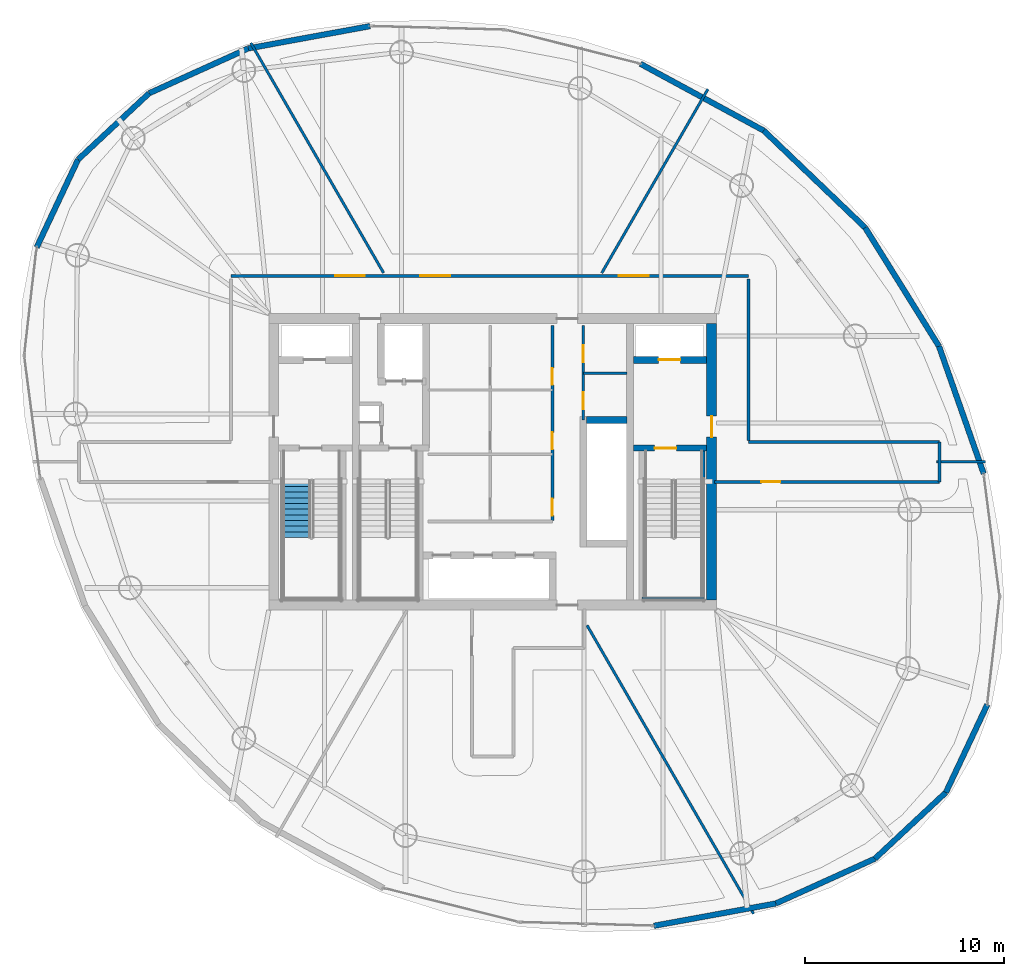
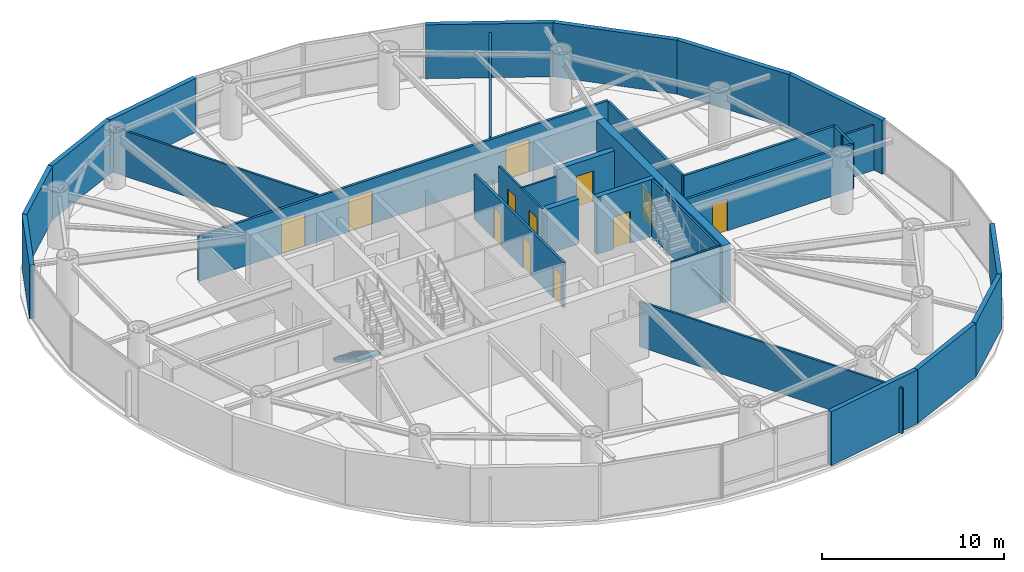
# One storey, part 15 of 20: 30 walls, 12 doors, 1 stair flight, 12 openings, 1 element without a shape of its own.
"""IFC4 building model written with IfcOpenShell, lengths in metres."""

from ifc_helpers import new_model, si_unit, direction, frame, frame_2d, origin, place, context, subcontext, project, spatial, polyline, rectangle, outline, extrude, material, layer, layer_set, type_object, element, fill, aggregate, save


model = new_model("IFC4")

# Units and contexts
model_context = context("Model", 3, precision=1e-05, world=origin(), true_north=direction((0.0, 1.0)))
body_context = subcontext(model_context, "Body", "Model", "MODEL_VIEW")
ifc_project = project(units=[si_unit("LENGTHUNIT", "METRE"), si_unit("AREAUNIT", "SQUARE_METRE"), si_unit("VOLUMEUNIT", "CUBIC_METRE"), si_unit("PLANEANGLEUNIT", "RADIAN"), si_unit("MASSUNIT", "GRAM", prefix="KILO")], contexts=[model_context])

# Site, building, storey
site_placement = place(None, origin())
site = spatial("IfcSite", under=ifc_project, at=site_placement, CompositionType="ELEMENT")
building_placement = place(site_placement, origin())
building = spatial("IfcBuilding", under=site, at=building_placement, Name="Bramvorn Convention Spire", CompositionType="ELEMENT")
storey_placement = place(building_placement, frame((0.0, 0.0, 175.050048828125)))
storey = spatial("IfcBuildingStorey", under=building, at=storey_placement, Name="L44", CompositionType="ELEMENT", Elevation=175.050048828125)

# Wall, opening, door
ifc_material_1 = material(Name="Concrete C50/60", Category="concrete")
ifc_layer_1 = layer(ifc_material_1, 0.5)
ifc_layer_set_1 = layer_set([ifc_layer_1], Name="Concrete C50/60 - WL-CORE-500")
wall_type_1 = type_object("IfcWallType", Name="WL-CORE-500", PredefinedType="SHEAR", material=ifc_layer_set_1)
wall_1_placement = place(storey_placement, frame((49.0, 19.050048828125, 0.0), z_axis=(0.0, 0.0, 1.0), x_axis=(0.0, 1.0, 0.0)))
wall_1 = element("IfcWall", 1, at=wall_1_placement, inside=storey, type_object=wall_type_1, Name="L44 East RC core shear wall", PredefinedType="SHEAR", context=body_context, shape_type="SweptSolid", body=[
    extrude(rectangle(XDim=13.89990234375, YDim=0.5, at=frame_2d((6.949951171875, 0.0))), origin(), (0.0, 0.0, 1.0), 3.849853515625),
])
opening_1_placement = place(wall_1_placement, frame((8.199951171875, 0.0, 0.0)))
opening_1 = element("IfcOpeningElement", 2, at=opening_1_placement, cuts=wall_1, Name="Opening DL-105", PredefinedType="OPENING", context=body_context, shape_type="SweptSolid", body=[
    extrude(rectangle(XDim=1.050048828125, YDim=2.14990234375, at=frame_2d((0.52490234375, 1.074951171875))), frame((0.0, 0.260009765625, 0.0), z_axis=(0.0, -1.0, 0.0), x_axis=(1.0, 0.0, 0.0)), (0.0, 0.0, 1.0), 0.52001953125),
])
ifc_material_2 = material(Name="Smoke-Sealed Fire Lobby Timber-Core Door", Category="wood")
door_type_1 = type_object("IfcDoorType", Name="DR-LOBBY-1050", OperationType="NOTDEFINED", PredefinedType="DOOR", material=ifc_material_2)
door_1_placement = place(opening_1_placement, origin())
door_1 = element("IfcDoor", 3, at=door_1_placement, inside=storey, type_object=door_type_1, Name="L44 East Firefighting Lobby corridor door", OperationType="SINGLE_SWING_LEFT", OverallHeight=2.14990234375, OverallWidth=1.050048828125, PredefinedType="DOOR", context=body_context, shape_type="SweptSolid", body=[
    extrude(rectangle(XDim=1.050048828125, YDim=2.14990234375, at=frame_2d((0.52490234375, 1.074951171875))), frame((0.0, 0.02490234375, 0.0), z_axis=(0.0, -1.0, 0.0), x_axis=(1.0, 0.0, 0.0)), (0.0, 0.0, 1.0), 0.050048828125),
])
fill(opening_1, door_1)

ifc_layer_2 = layer(ifc_material_1, 0.35009765625)
ifc_layer_set_2 = layer_set([ifc_layer_2], Name="Concrete C50/60 - WL-CORE-INT-350")
wall_type_2 = type_object("IfcWallType", Name="WL-CORE-INT-350", PredefinedType="SHEAR", material=ifc_layer_set_2)
wall_2_placement = place(storey_placement, frame((45.080078125, 31.1201171875, 0.0), z_axis=(0.0, 0.0, 1.0), x_axis=(1.0, 0.0, 0.0)))
wall_2 = element("IfcWall", 4, at=wall_2_placement, inside=storey, type_object=wall_type_2, Name="L44 FE2 shaft front wall", PredefinedType="SHEAR", context=body_context, shape_type="SweptSolid", body=[
    extrude(rectangle(XDim=3.669921875, YDim=0.35009765625, at=frame_2d((1.8349609375, 0.0))), origin(), (0.0, 0.0, 1.0), 3.034912109375),
])
opening_2_placement = place(wall_2_placement, frame((1.25, 0.0, 0.0)))
opening_2 = element("IfcOpeningElement", 5, at=opening_2_placement, cuts=wall_2, Name="Opening LD-110", PredefinedType="OPENING", context=body_context, shape_type="SweptSolid", body=[
    extrude(rectangle(XDim=1.10009765625, YDim=2.14990234375, at=frame_2d((0.550048828125, 1.074951171875))), frame((0.0, 0.18505859375, 0.0), z_axis=(0.0, -1.0, 0.0), x_axis=(1.0, 0.0, 0.0)), (0.0, 0.0, 1.0), 0.3701171875),
])
ifc_material_3 = material(Name="Firefighting & Service Lift Sliding Landing Door", Category="steel")
door_type_2 = type_object("IfcDoorType", Name="DR-LIFT-LD-1100", OperationType="NOTDEFINED", PredefinedType="DOOR", material=ifc_material_3)
door_2_placement = place(opening_2_placement, origin())
door_2 = element("IfcDoor", 6, at=door_2_placement, inside=storey, type_object=door_type_2, Name="L44 Lift FE2 Sliding Landing Door", OperationType="SLIDING_TO_LEFT", OverallHeight=2.14990234375, OverallWidth=1.10009765625, PredefinedType="DOOR", context=body_context, shape_type="SweptSolid", body=[
    extrude(rectangle(XDim=1.10009765625, YDim=2.14990234375, at=frame_2d((0.550048828125, 1.074951171875))), frame((0.0, 0.02490234375, 0.0), z_axis=(0.0, -1.0, 0.0), x_axis=(1.0, 0.0, 0.0)), (0.0, 0.0, 1.0), 0.050048828125),
])
fill(opening_2, door_2)

# Walls
wall_3_placement = place(storey_placement, frame((42.719970703125, 28.10009765625, 0.0), z_axis=(0.0, 0.0, 1.0), x_axis=(1.0, 0.0, 0.0)))
element("IfcWall", 7, at=wall_3_placement, inside=storey, type_object=wall_type_2, Name="L44 High-rise lift bank north wall", PredefinedType="SHEAR", context=body_context, shape_type="SweptSolid", body=[
    extrude(rectangle(XDim=2.030029296875, YDim=0.35009765625, at=frame_2d((1.01513671875, 0.0))), origin(), (0.0, 0.0, 1.0), 3.034912109375),
])
ifc_material_4 = material(Name="Precast Concrete C40/50 with Bronze Terracotta Rainscreen", Category="masonry")
ifc_layer_3 = layer(ifc_material_4, 0.300048828125)
ifc_layer_set_3 = layer_set([ifc_layer_3], Name="Precast Concrete C40/50 with Bronze Terracotta Rainscreen - WL-EXT-BRONZE-300")
wall_type_3 = type_object("IfcWallType", Name="WL-EXT-BRONZE-300", PredefinedType="SOLIDWALL", material=ifc_layer_set_3)
wall_4_placement = place(storey_placement, frame((62.847900390625, 13.807373046875, 0.0), z_axis=(0.0, 0.0, 1.0), x_axis=(-0.426284044229, -0.904589361885, 0.0)))
element("IfcWall", 8, at=wall_4_placement, inside=storey, type_object=wall_type_3, Name="L44 expressed bronze Gothic lancet pier wall 01", PredefinedType="SOLIDWALL", context=body_context, shape_type="SweptSolid", body=[
    extrude(rectangle(XDim=4.876220703125, YDim=0.280029296875, at=frame_2d((2.43798828125, 0.0))), origin(), (0.0, 0.0, 1.0), 3.619873046875),
])
wall_5_placement = place(storey_placement, frame((60.419189453125, 31.81201171875, 0.0), z_axis=(0.0, 0.0, 1.0), x_axis=(0.331279949487, -0.94353250875, 0.0)))
element("IfcWall", 9, at=wall_5_placement, inside=storey, type_object=wall_type_3, Name="L44 expressed bronze Gothic lancet pier wall 04", PredefinedType="SOLIDWALL", context=body_context, shape_type="SweptSolid", body=[
    extrude(rectangle(XDim=6.784423828125, YDim=0.280029296875, at=frame_2d((3.39208984375, 0.0))), origin(), (0.0, 0.0, 1.0), 3.619873046875),
])
wall_6_placement = place(storey_placement, frame((56.709716796875, 37.76904296875, 0.0), z_axis=(0.0, 0.0, 1.0), x_axis=(0.528597240485, -0.848872756867, 0.0)))
element("IfcWall", 10, at=wall_6_placement, inside=storey, type_object=wall_type_3, Name="L44 expressed bronze Gothic lancet pier wall 05", PredefinedType="SOLIDWALL", context=body_context, shape_type="SweptSolid", body=[
    extrude(rectangle(XDim=7.017578125, YDim=0.280029296875, at=frame_2d((3.5087890625, 0.0))), origin(), (0.0, 0.0, 1.0), 3.619873046875),
])
for number, where, z_axis, x_axis, name in (
    (11, (51.619873046875, 42.640869140625, 0.0), (0.0, 0.0, 1.0), (0.722409280023, -0.691465712915, 0.0), "L44 expressed bronze Gothic lancet pier wall 06"),
    (12, (45.42529296875, 45.997802734375, 0.0), (0.0, 0.0, 1.0), (0.879200648398, -0.476451697295, 0.0), "L44 expressed bronze Gothic lancet pier wall 07"),
):
    element("IfcWall", number, at=place(storey_placement, frame(where, z_axis=z_axis, x_axis=x_axis)), inside=storey, type_object=wall_type_3, Name=name, PredefinedType="SOLIDWALL", context=body_context, shape_type="SweptSolid", body=[
        extrude(rectangle(XDim=7.045654296875, YDim=0.280029296875, at=frame_2d((3.52294921875, 0.0))), origin(), (0.0, 0.0, 1.0), 3.619873046875),
    ])
wall_7_placement = place(storey_placement, frame((25.712890625, 46.77001953125, 0.0), z_axis=(0.0, 0.0, 1.0), x_axis=(0.98364200826, 0.180134393125, 0.0)))
element("IfcWall", 13, at=wall_7_placement, inside=storey, type_object=wall_type_3, Name="L44 expressed bronze Gothic lancet pier wall 10", PredefinedType="SOLIDWALL", context=body_context, shape_type="SweptSolid", body=[
    extrude(rectangle(XDim=6.226318359375, YDim=0.280029296875, at=frame_2d((3.11328125, 0.0))), origin(), (0.0, 0.0, 1.0), 3.619873046875),
])
wall_8_placement = place(storey_placement, frame((20.734375, 44.51708984375, 0.0), z_axis=(0.0, 0.0, 1.0), x_axis=(0.911056784124, 0.41228089466, 0.0)))
element("IfcWall", 14, at=wall_8_placement, inside=storey, type_object=wall_type_3, Name="L44 expressed bronze Gothic lancet pier wall 11", PredefinedType="SOLIDWALL", context=body_context, shape_type="SweptSolid", body=[
    extrude(rectangle(XDim=5.464599609375, YDim=0.280029296875, at=frame_2d((2.732421875, 0.0))), origin(), (0.0, 0.0, 1.0), 3.619873046875),
])
for number, where, z_axis, x_axis, name in (
    (15, (17.169921875, 41.189453125, 0.0), (0.0, 0.0, 1.0), (0.730972016713, 0.68240743752, 0.0), "L44 expressed bronze Gothic lancet pier wall 12"),
    (16, (15.09130859375, 36.778564453125, 0.0), (0.0, 0.0, 1.0), (0.426284044229, 0.904589361885, 0.0), "L44 expressed bronze Gothic lancet pier wall 13"),
):
    element("IfcWall", number, at=place(storey_placement, frame(where, z_axis=z_axis, x_axis=x_axis)), inside=storey, type_object=wall_type_3, Name=name, PredefinedType="SOLIDWALL", context=body_context, shape_type="SweptSolid", body=[
        extrude(rectangle(XDim=4.876220703125, YDim=0.280029296875, at=frame_2d((2.43798828125, 0.0))), origin(), (0.0, 0.0, 1.0), 3.619873046875),
    ])
wall_9_placement = place(storey_placement, frame((52.226318359375, 3.81591796875, 0.0), z_axis=(0.0, 0.0, 1.0), x_axis=(-0.98364200826, -0.180134393125, 0.0)))
element("IfcWall", 17, at=wall_9_placement, inside=storey, type_object=wall_type_3, Name="L44 expressed bronze Gothic lancet pier wall 22", PredefinedType="SOLIDWALL", context=body_context, shape_type="SweptSolid", body=[
    extrude(rectangle(XDim=6.226318359375, YDim=0.280029296875, at=frame_2d((3.11328125, 0.0))), origin(), (0.0, 0.0, 1.0), 3.619873046875),
])
wall_10_placement = place(storey_placement, frame((57.204833984375, 6.06884765625, 0.0), z_axis=(0.0, 0.0, 1.0), x_axis=(-0.911056784124, -0.41228089466, 0.0)))
element("IfcWall", 18, at=wall_10_placement, inside=storey, type_object=wall_type_3, Name="L44 expressed bronze Gothic lancet pier wall 23", PredefinedType="SOLIDWALL", context=body_context, shape_type="SweptSolid", body=[
    extrude(rectangle(XDim=5.464599609375, YDim=0.280029296875, at=frame_2d((2.732421875, 0.0))), origin(), (0.0, 0.0, 1.0), 3.619873046875),
])
wall_11_placement = place(storey_placement, frame((60.769287109375, 9.396484375, 0.0), z_axis=(0.0, 0.0, 1.0), x_axis=(-0.730972016713, -0.68240743752, 0.0)))
element("IfcWall", 19, at=wall_11_placement, inside=storey, type_object=wall_type_3, Name="L44 expressed bronze Gothic lancet pier wall 24", PredefinedType="SOLIDWALL", context=body_context, shape_type="SweptSolid", body=[
    extrude(rectangle(XDim=4.876220703125, YDim=0.280029296875, at=frame_2d((2.43798828125, 0.0))), origin(), (0.0, 0.0, 1.0), 3.619873046875),
])
ifc_material_5 = material(Name="Lightweight En-Suite & Wet-Wall Partition", Category="gypsum")
ifc_layer_4 = layer(ifc_material_5, 0.110107421875)
ifc_layer_set_4 = layer_set([ifc_layer_4], Name="Lightweight En-Suite & Wet-Wall Partition - WL-PART-110")
wall_type_4 = type_object("IfcWallType", Name="WL-PART-110", PredefinedType="PARTITIONING", material=ifc_layer_set_4)
wall_12_placement = place(storey_placement, frame((42.550048828125, 30.449951171875, 0.0), z_axis=(0.0, 0.0, 1.0), x_axis=(1.0, 0.0, 0.0)))
element("IfcWall", 20, at=wall_12_placement, inside=storey, type_object=wall_type_4, Name="L44 KB NE divider", PredefinedType="PARTITIONING", context=body_context, shape_type="SweptSolid", body=[
    extrude(rectangle(XDim=2.199951171875, YDim=0.110107421875, at=frame_2d((1.10009765625, 0.0))), origin(), (0.0, 0.0, 1.0), 3.034912109375),
])

# Wall, openings, doors
ifc_material_6 = material(Name="Metal-Stud Demountable Office Partition", Category="gypsum")
ifc_layer_5 = layer(ifc_material_6, 0.1298828125)
ifc_layer_set_5 = layer_set([ifc_layer_5], Name="Metal-Stud Demountable Office Partition - WL-PART-130")
wall_type_5 = type_object("IfcWallType", Name="WL-PART-130", PredefinedType="PARTITIONING", material=ifc_layer_set_5)
wall_13_placement = place(storey_placement, frame((42.550048828125, 28.10009765625, 0.0), z_axis=(0.0, 0.0, 1.0), x_axis=(0.0, 1.0, 0.0)))
wall_13 = element("IfcWall", 21, at=wall_13_placement, inside=storey, type_object=wall_type_5, Name="L44 KB NE split wall", PredefinedType="PARTITIONING", context=body_context, shape_type="SweptSolid", body=[
    extrude(rectangle(XDim=4.75, YDim=0.1298828125, at=frame_2d((2.375, 0.0))), origin(), (0.0, 0.0, 1.0), 3.034912109375),
])
opening_3_placement = place(wall_13_placement, frame((0.550048828125, 0.0, 0.0)))
opening_3 = element("IfcOpeningElement", 22, at=opening_3_placement, cuts=wall_13, Name="Opening DC-085", PredefinedType="OPENING", context=body_context, shape_type="SweptSolid", body=[
    extrude(rectangle(XDim=0.85009765625, YDim=2.10009765625, at=frame_2d((0.425048828125, 1.050048828125))), frame((0.0, 0.074951171875, 0.0), z_axis=(0.0, -1.0, 0.0), x_axis=(1.0, 0.0, 0.0)), (0.0, 0.0, 1.0), 0.14990234375),
])
opening_4_placement = place(wall_13_placement, frame((2.89990234375, 0.0, 0.0)))
opening_4 = element("IfcOpeningElement", 23, at=opening_4_placement, cuts=wall_13, Name="Opening DC-085", PredefinedType="OPENING", context=body_context, shape_type="SweptSolid", body=[
    extrude(rectangle(XDim=0.85009765625, YDim=2.10009765625, at=frame_2d((0.425048828125, 1.050048828125))), frame((0.0, 0.074951171875, 0.0), z_axis=(0.0, -1.0, 0.0), x_axis=(1.0, 0.0, 0.0)), (0.0, 0.0, 1.0), 0.14990234375),
])
ifc_material_7 = material(Name="Fire-Rated Core Washroom & IDF Door", Category="wood")
door_type_3 = type_object("IfcDoorType", Name="DR-CORE-850", OperationType="NOTDEFINED", PredefinedType="DOOR", material=ifc_material_7)
door_3_placement = place(opening_3_placement, origin())
door_3 = element("IfcDoor", 24, at=door_3_placement, inside=storey, type_object=door_type_3, Name="L44 Core Staff WC door", OperationType="SINGLE_SWING_LEFT", OverallHeight=2.10009765625, OverallWidth=0.85009765625, PredefinedType="DOOR", context=body_context, shape_type="SweptSolid", body=[
    extrude(rectangle(XDim=0.85009765625, YDim=2.10009765625, at=frame_2d((0.425048828125, 1.050048828125))), frame((0.0, 0.02490234375, 0.0), z_axis=(0.0, -1.0, 0.0), x_axis=(1.0, 0.0, 0.0)), (0.0, 0.0, 1.0), 0.050048828125),
])
fill(opening_3, door_3)
door_4_placement = place(opening_4_placement, origin())
door_4 = element("IfcDoor", 25, at=door_4_placement, inside=storey, type_object=door_type_3, Name="L44 Core Data Closet door", OperationType="SINGLE_SWING_LEFT", OverallHeight=2.10009765625, OverallWidth=0.85009765625, PredefinedType="DOOR", context=body_context, shape_type="SweptSolid", body=[
    extrude(rectangle(XDim=0.85009765625, YDim=2.10009765625, at=frame_2d((0.425048828125, 1.050048828125))), frame((0.0, 0.02490234375, 0.0), z_axis=(0.0, -1.0, 0.0), x_axis=(1.0, 0.0, 0.0)), (0.0, 0.0, 1.0), 0.050048828125),
])
fill(opening_4, door_4)

# Walls
wall_14_placement = place(storey_placement, frame((60.305908203125, 26.0, 0.0), z_axis=(0.0, 0.0, 1.0), x_axis=(1.0, 0.0, 0.0)))
element("IfcWall", 26, at=wall_14_placement, inside=storey, type_object=wall_type_5, Name="L44 Tenant suite partition 1", PredefinedType="PARTITIONING", context=body_context, shape_type="SweptSolid", body=[
    extrude(rectangle(XDim=2.447509765625, YDim=0.1298828125, at=frame_2d((1.2236328125, 0.0))), origin(), (0.0, 0.0, 1.0), 3.034912109375),
])
wall_15_placement = place(storey_placement, frame((43.47900390625, 35.489990234375, 0.0), z_axis=(0.0, 0.0, 1.0), x_axis=(0.499988564899, 0.866032005743, 0.0)))
element("IfcWall", 27, at=wall_15_placement, inside=storey, type_object=wall_type_5, Name="L44 Tenant suite partition 2", PredefinedType="PARTITIONING", context=body_context, shape_type="SweptSolid", body=[
    extrude(rectangle(XDim=10.668212890625, YDim=0.1298828125, at=frame_2d((5.333984375, 0.0))), origin(), (0.0, 0.0, 1.0), 3.034912109375),
])
wall_16_placement = place(storey_placement, frame((32.52099609375, 35.489990234375, 0.0), z_axis=(0.0, 0.0, 1.0), x_axis=(-0.49999788721, 0.866026623601, 0.0)))
element("IfcWall", 28, at=wall_16_placement, inside=storey, type_object=wall_type_5, Name="L44 Tenant suite partition 3", PredefinedType="PARTITIONING", context=body_context, shape_type="SweptSolid", body=[
    extrude(rectangle(XDim=13.3505859375, YDim=0.1298828125, at=frame_2d((6.67529296875, 0.0))), origin(), (0.0, 0.0, 1.0), 3.034912109375),
])
wall_17_placement = place(storey_placement, frame((42.739990234375, 17.7900390625, 0.0), z_axis=(0.0, 0.0, 1.0), x_axis=(0.4999998082, -0.86602551452, 0.0)))
element("IfcWall", 29, at=wall_17_placement, inside=storey, type_object=wall_type_5, Name="L44 Tenant suite partition 6", PredefinedType="PARTITIONING", context=body_context, shape_type="SweptSolid", body=[
    extrude(rectangle(XDim=16.73779296875, YDim=0.1298828125, at=frame_2d((8.368896484375, 0.0))), origin(), (0.0, 0.0, 1.0), 3.034912109375),
])

# Wall, openings, doors
ifc_material_8 = material(Name="Acoustic Metal-Stud Tenant/Corridor Partition", Category="gypsum")
ifc_layer_6 = layer(ifc_material_8, 0.14990234375)
ifc_layer_set_6 = layer_set([ifc_layer_6], Name="Acoustic Metal-Stud Tenant/Corridor Partition - WL-PART-150")
wall_type_6 = type_object("IfcWallType", Name="WL-PART-150", PredefinedType="PARTITIONING", material=ifc_layer_set_6)
wall_18_placement = place(storey_placement, frame((41.0, 23.050048828125, 0.0), z_axis=(0.0, 0.0, 1.0), x_axis=(0.0, 1.0, 0.0)))
wall_18 = element("IfcWall", 30, at=wall_18_placement, inside=storey, type_object=wall_type_6, Name="L44 KB east core wall", PredefinedType="PARTITIONING", context=body_context, shape_type="SweptSolid", body=[
    extrude(rectangle(XDim=9.800048828125, YDim=0.14990234375, at=frame_2d((4.89990234375, 0.0))), origin(), (0.0, 0.0, 1.0), 3.034912109375),
])
opening_5_placement = place(wall_18_placement, frame((0.25, 0.0, 0.0)))
opening_5 = element("IfcOpeningElement", 31, at=opening_5_placement, cuts=wall_18, Name="Opening DC-085", PredefinedType="OPENING", context=body_context, shape_type="SweptSolid", body=[
    extrude(rectangle(XDim=0.85009765625, YDim=2.10009765625, at=frame_2d((0.425048828125, 1.050048828125))), frame((0.0, 0.0849609375, 0.0), z_axis=(0.0, -1.0, 0.0), x_axis=(1.0, 0.0, 0.0)), (0.0, 0.0, 1.0), 0.169921875),
])
opening_6_placement = place(wall_18_placement, frame((3.58203125, 0.0, 0.0)))
opening_6 = element("IfcOpeningElement", 32, at=opening_6_placement, cuts=wall_18, Name="Opening DC-085", PredefinedType="OPENING", context=body_context, shape_type="SweptSolid", body=[
    extrude(rectangle(XDim=0.85009765625, YDim=2.10009765625, at=frame_2d((0.425048828125, 1.050048828125))), frame((0.0, 0.0849609375, 0.0), z_axis=(0.0, -1.0, 0.0), x_axis=(1.0, 0.0, 0.0)), (0.0, 0.0, 1.0), 0.169921875),
])
opening_7_placement = place(wall_18_placement, frame((6.81591796875, 0.0, 0.0)))
opening_7 = element("IfcOpeningElement", 33, at=opening_7_placement, cuts=wall_18, Name="Opening DC-085", PredefinedType="OPENING", context=body_context, shape_type="SweptSolid", body=[
    extrude(rectangle(XDim=0.85009765625, YDim=2.10009765625, at=frame_2d((0.425048828125, 1.050048828125))), frame((0.0, 0.0849609375, 0.0), z_axis=(0.0, -1.0, 0.0), x_axis=(1.0, 0.0, 0.0)), (0.0, 0.0, 1.0), 0.169921875),
])
door_5_placement = place(opening_5_placement, origin())
door_5 = element("IfcDoor", 34, at=door_5_placement, inside=storey, type_object=door_type_3, Name="L44 Accessible Core Restroom door", OperationType="SINGLE_SWING_LEFT", OverallHeight=2.10009765625, OverallWidth=0.85009765625, PredefinedType="DOOR", context=body_context, shape_type="SweptSolid", body=[
    extrude(rectangle(XDim=0.85009765625, YDim=2.10009765625, at=frame_2d((0.425048828125, 1.050048828125))), frame((0.0, 0.02490234375, 0.0), z_axis=(0.0, -1.0, 0.0), x_axis=(1.0, 0.0, 0.0)), (0.0, 0.0, 1.0), 0.050048828125),
])
fill(opening_5, door_5)
door_6_placement = place(opening_6_placement, origin())
door_6 = element("IfcDoor", 35, at=door_6_placement, inside=storey, type_object=door_type_3, Name="L44 Tenant Pantry & Copy Centre door", OperationType="SINGLE_SWING_LEFT", OverallHeight=2.10009765625, OverallWidth=0.85009765625, PredefinedType="DOOR", context=body_context, shape_type="SweptSolid", body=[
    extrude(rectangle(XDim=0.85009765625, YDim=2.10009765625, at=frame_2d((0.425048828125, 1.050048828125))), frame((0.0, 0.02490234375, 0.0), z_axis=(0.0, -1.0, 0.0), x_axis=(1.0, 0.0, 0.0)), (0.0, 0.0, 1.0), 0.050048828125),
])
fill(opening_6, door_6)
door_7_placement = place(opening_7_placement, origin())
door_7 = element("IfcDoor", 36, at=door_7_placement, inside=storey, type_object=door_type_3, Name="L44 Gender-Neutral Core WC door", OperationType="SINGLE_SWING_LEFT", OverallHeight=2.10009765625, OverallWidth=0.85009765625, PredefinedType="DOOR", context=body_context, shape_type="SweptSolid", body=[
    extrude(rectangle(XDim=0.85009765625, YDim=2.10009765625, at=frame_2d((0.425048828125, 1.050048828125))), frame((0.0, 0.02490234375, 0.0), z_axis=(0.0, -1.0, 0.0), x_axis=(1.0, 0.0, 0.0)), (0.0, 0.0, 1.0), 0.050048828125),
])
fill(opening_7, door_7)

wall_19_placement = place(storey_placement, frame((24.85009765625, 35.35009765625, 0.0), z_axis=(0.0, 0.0, 1.0), x_axis=(1.0, 0.0, 0.0)))
wall_19 = element("IfcWall", 37, at=wall_19_placement, inside=storey, type_object=wall_type_6, Name="L44 North gallery wall", PredefinedType="PARTITIONING", context=body_context, shape_type="SweptSolid", body=[
    extrude(rectangle(XDim=26.0, YDim=0.14990234375, at=frame_2d((13.0, 0.0))), origin(), (0.0, 0.0, 1.0), 3.034912109375),
])
opening_8_placement = place(wall_19_placement, frame((19.49072265625, 0.0, 0.0)))
opening_8 = element("IfcOpeningElement", 38, at=opening_8_placement, cuts=wall_19, Name="Opening DC-150", PredefinedType="OPENING", context=body_context, shape_type="SweptSolid", body=[
    extrude(rectangle(XDim=1.5, YDim=2.199951171875, at=frame_2d((0.75, 1.10009765625))), frame((0.0, 0.0849609375, 0.0), z_axis=(0.0, -1.0, 0.0), x_axis=(1.0, 0.0, 0.0)), (0.0, 0.0, 1.0), 0.169921875),
])
opening_9_placement = place(wall_19_placement, frame((9.51611328125, 0.0, 0.0)))
opening_9 = element("IfcOpeningElement", 39, at=opening_9_placement, cuts=wall_19, Name="Opening DC-150", PredefinedType="OPENING", context=body_context, shape_type="SweptSolid", body=[
    extrude(rectangle(XDim=1.5, YDim=2.199951171875, at=frame_2d((0.75, 1.10009765625))), frame((0.0, 0.0849609375, 0.0), z_axis=(0.0, -1.0, 0.0), x_axis=(1.0, 0.0, 0.0)), (0.0, 0.0, 1.0), 0.169921875),
])
opening_10_placement = place(wall_19_placement, frame((5.234130859375, 0.0, 0.0)))
opening_10 = element("IfcOpeningElement", 40, at=opening_10_placement, cuts=wall_19, Name="Opening DC-150", PredefinedType="OPENING", context=body_context, shape_type="SweptSolid", body=[
    extrude(rectangle(XDim=1.5, YDim=2.199951171875, at=frame_2d((0.75, 1.10009765625))), frame((0.0, 0.0849609375, 0.0), z_axis=(0.0, -1.0, 0.0), x_axis=(1.0, 0.0, 0.0)), (0.0, 0.0, 1.0), 0.169921875),
])
ifc_material_9 = material(Name="Double-Leaf Smoke-Control Corridor Door", Category="wood")
door_type_4 = type_object("IfcDoorType", Name="DR-COR-1500", OperationType="NOTDEFINED", PredefinedType="DOOR", material=ifc_material_9)
door_8_placement = place(opening_8_placement, origin())
door_8 = element("IfcDoor", 41, at=door_8_placement, inside=storey, type_object=door_type_4, Name="L44 Open-Plan Engineering Office A 1 door", OperationType="DOUBLE_DOOR_SINGLE_SWING", OverallHeight=2.199951171875, OverallWidth=1.5, PredefinedType="DOOR", context=body_context, shape_type="SweptSolid", body=[
    extrude(rectangle(XDim=1.5, YDim=2.199951171875, at=frame_2d((0.75, 1.10009765625))), frame((0.0, 0.02490234375, 0.0), z_axis=(0.0, -1.0, 0.0), x_axis=(1.0, 0.0, 0.0)), (0.0, 0.0, 1.0), 0.050048828125),
])
fill(opening_8, door_8)
door_9_placement = place(opening_9_placement, origin())
door_9 = element("IfcDoor", 42, at=door_9_placement, inside=storey, type_object=door_type_4, Name="L44 Open-Plan Engineering Office B 2 door", OperationType="DOUBLE_DOOR_SINGLE_SWING", OverallHeight=2.199951171875, OverallWidth=1.5, PredefinedType="DOOR", context=body_context, shape_type="SweptSolid", body=[
    extrude(rectangle(XDim=1.5, YDim=2.199951171875, at=frame_2d((0.75, 1.10009765625))), frame((0.0, 0.02490234375, 0.0), z_axis=(0.0, -1.0, 0.0), x_axis=(1.0, 0.0, 0.0)), (0.0, 0.0, 1.0), 0.050048828125),
])
fill(opening_9, door_9)
door_10_placement = place(opening_10_placement, origin())
door_10 = element("IfcDoor", 43, at=door_10_placement, inside=storey, type_object=door_type_4, Name="L44 Open-Plan Digital Office C 3 door", OperationType="DOUBLE_DOOR_SINGLE_SWING", OverallHeight=2.199951171875, OverallWidth=1.5, PredefinedType="DOOR", context=body_context, shape_type="SweptSolid", body=[
    extrude(rectangle(XDim=1.5, YDim=2.199951171875, at=frame_2d((0.75, 1.10009765625))), frame((0.0, 0.02490234375, 0.0), z_axis=(0.0, -1.0, 0.0), x_axis=(1.0, 0.0, 0.0)), (0.0, 0.0, 1.0), 0.050048828125),
])
fill(opening_10, door_10)

# Walls
wall_20_placement = place(storey_placement, frame((50.85009765625, 27.080078125, 0.0), z_axis=(0.0, 0.0, 1.0), x_axis=(0.0, 1.0, 0.0)))
element("IfcWall", 44, at=wall_20_placement, inside=storey, type_object=wall_type_6, Name="L44 NE gallery cheek", PredefinedType="PARTITIONING", context=body_context, shape_type="SweptSolid", body=[
    extrude(rectangle(XDim=8.119873046875, YDim=0.14990234375, at=frame_2d((4.06005859375, 0.0))), origin(), (0.0, 0.0, 1.0), 3.034912109375),
])
wall_21_placement = place(storey_placement, frame((50.85009765625, 27.0, 0.0), z_axis=(0.0, 0.0, 1.0), x_axis=(1.0, 0.0, 0.0)))
element("IfcWall", 45, at=wall_21_placement, inside=storey, type_object=wall_type_6, Name="L44 East wing spine north wall", PredefinedType="PARTITIONING", context=body_context, shape_type="SweptSolid", body=[
    extrude(rectangle(XDim=9.60302734375, YDim=0.14990234375, at=frame_2d((4.801513671875, 0.0))), origin(), (0.0, 0.0, 1.0), 3.034912109375),
])

# Wall, opening, door
wall_22_placement = place(storey_placement, frame((49.14990234375, 25.0, 0.0), z_axis=(0.0, 0.0, 1.0), x_axis=(1.0, 0.0, 0.0)))
wall_22 = element("IfcWall", 46, at=wall_22_placement, inside=storey, type_object=wall_type_6, Name="L44 East wing spine south wall", PredefinedType="PARTITIONING", context=body_context, shape_type="SweptSolid", body=[
    extrude(rectangle(XDim=11.30322265625, YDim=0.14990234375, at=frame_2d((5.651611328125, 0.0))), origin(), (0.0, 0.0, 1.0), 3.034912109375),
])
opening_11_placement = place(wall_22_placement, frame((2.350830078125, 0.0, 0.0)))
opening_11 = element("IfcOpeningElement", 47, at=opening_11_placement, cuts=wall_22, Name="Opening DH-095", PredefinedType="OPENING", context=body_context, shape_type="SweptSolid", body=[
    extrude(rectangle(XDim=0.949951171875, YDim=2.14990234375, at=frame_2d((0.47509765625, 1.074951171875))), frame((0.0, 0.0849609375, 0.0), z_axis=(0.0, -1.0, 0.0), x_axis=(1.0, 0.0, 0.0)), (0.0, 0.0, 1.0), 0.169921875),
])
ifc_material_10 = material(Name="Solid-Core Acoustic Guestroom Entry Door", Category="wood")
door_type_5 = type_object("IfcDoorType", Name="DR-HOTEL-950", OperationType="NOTDEFINED", PredefinedType="DOOR", material=ifc_material_10)
door_11_placement = place(opening_11_placement, origin())
door_11 = element("IfcDoor", 48, at=door_11_placement, inside=storey, type_object=door_type_5, Name="L44 Staff Kitchenette 6 door", OperationType="SINGLE_SWING_RIGHT", OverallHeight=2.14990234375, OverallWidth=0.949951171875, PredefinedType="DOOR", context=body_context, shape_type="SweptSolid", body=[
    extrude(rectangle(XDim=0.949951171875, YDim=2.14990234375, at=frame_2d((0.47509765625, 1.074951171875))), frame((0.0, 0.02490234375, 0.0), z_axis=(0.0, -1.0, 0.0), x_axis=(1.0, 0.0, 0.0)), (0.0, 0.0, 1.0), 0.050048828125),
])
fill(opening_11, door_11)

# Wall
wall_23_placement = place(storey_placement, frame((60.453125, 25.0, 0.0), z_axis=(0.0, 0.0, 1.0), x_axis=(0.0, 1.0, 0.0)))
element("IfcWall", 49, at=wall_23_placement, inside=storey, type_object=wall_type_6, Name="L44 East wing spine end wall", PredefinedType="PARTITIONING", context=body_context, shape_type="SweptSolid", body=[
    extrude(rectangle(XDim=2.0, YDim=0.14990234375, at=frame_2d((1.0, 0.0))), origin(), (0.0, 0.0, 1.0), 3.034912109375),
])

# Wall, opening, door
ifc_layer_7 = layer(ifc_material_1, 0.300048828125)
ifc_layer_set_7 = layer_set([ifc_layer_7], Name="Concrete C50/60 - WL-POD-STAIR-300")
wall_type_7 = type_object("IfcWallType", Name="WL-POD-STAIR-300", PredefinedType="SHEAR", material=ifc_layer_set_7)
wall_24_placement = place(storey_placement, frame((45.080078125, 26.68994140625, 0.0), z_axis=(0.0, 0.0, 1.0), x_axis=(1.0, 0.0, 0.0)))
wall_24 = element("IfcWall", 50, at=wall_24_placement, inside=storey, type_object=wall_type_7, Name="L44 ST2 north fire wall", PredefinedType="SHEAR", context=body_context, shape_type="SweptSolid", body=[
    extrude(rectangle(XDim=3.669921875, YDim=0.300048828125, at=frame_2d((1.8349609375, 0.0))), origin(), (0.0, 0.0, 1.0), 3.849853515625),
])
opening_12_placement = place(wall_24_placement, frame((1.050048828125, 0.0, 0.0)))
opening_12 = element("IfcOpeningElement", 51, at=opening_12_placement, cuts=wall_24, Name="Opening DS-110", PredefinedType="OPENING", context=body_context, shape_type="SweptSolid", body=[
    extrude(rectangle(XDim=1.10009765625, YDim=2.14990234375, at=frame_2d((0.550048828125, 1.074951171875))), frame((0.0, 0.159912109375, 0.0), z_axis=(0.0, -1.0, 0.0), x_axis=(1.0, 0.0, 0.0)), (0.0, 0.0, 1.0), 0.320068359375),
])
ifc_material_11 = material(Name="Fire-Rated Hollow Steel Stairwell Door", Category="steel")
door_type_6 = type_object("IfcDoorType", Name="DR-STAIR-1100", OperationType="NOTDEFINED", PredefinedType="DOOR", material=ifc_material_11)
door_12_placement = place(opening_12_placement, origin())
door_12 = element("IfcDoor", 52, at=door_12_placement, inside=storey, type_object=door_type_6, Name="L44 Stair ST2 fire door", OperationType="SINGLE_SWING_RIGHT", OverallHeight=2.14990234375, OverallWidth=1.10009765625, PredefinedType="DOOR", context=body_context, shape_type="SweptSolid", body=[
    extrude(rectangle(XDim=1.10009765625, YDim=2.14990234375, at=frame_2d((0.550048828125, 1.074951171875))), frame((0.0, 0.02490234375, 0.0), z_axis=(0.0, -1.0, 0.0), x_axis=(1.0, 0.0, 0.0)), (0.0, 0.0, 1.0), 0.050048828125),
])
fill(opening_12, door_12)

# Walls
ifc_layer_8 = layer(ifc_material_1, 0.1201171875)
ifc_layer_set_8 = layer_set([ifc_layer_8], Name="Concrete C50/60 - WL-STAIR-RC-120")
wall_type_8 = type_object("IfcWallType", Name="WL-STAIR-RC-120", PredefinedType="SHEAR", material=ifc_layer_set_8)
wall_25_placement = place(storey_placement, frame((48.60498046875, 19.10009765625, 0.0), z_axis=(0.0, 0.0, 1.0), x_axis=(0.0, 1.0, 0.0)))
element("IfcWall", 53, at=wall_25_placement, inside=storey, type_object=wall_type_8, Name="L44 ST2 east bearing shear wall", PredefinedType="SHEAR", context=body_context, shape_type="SweptSolid", body=[
    extrude(rectangle(XDim=7.449951171875, YDim=0.1201171875, at=frame_2d((3.72509765625, 0.0))), origin(), (0.0, 0.0, 1.0), 3.849853515625),
])
wall_26_placement = place(storey_placement, frame((45.510009765625, 19.159912109375, 0.0), z_axis=(0.0, 0.0, 1.0), x_axis=(1.0, 0.0, 0.0)))
element("IfcWall", 54, at=wall_26_placement, inside=storey, type_object=wall_type_8, Name="L44 ST2 south bearing shear wall", PredefinedType="SHEAR", context=body_context, shape_type="SweptSolid", body=[
    extrude(rectangle(XDim=3.094970703125, YDim=0.1201171875, at=frame_2d((1.54736328125, 0.0))), origin(), (0.0, 0.0, 1.0), 3.849853515625),
])

# Stair, stair flight
ifc_material_12 = material(Name="Concrete C40/50 Precast Stair", Category="concrete")
stair_type = type_object("IfcStairType", Name="ST-TOWER-1550", PredefinedType="HALF_TURN_STAIR", material=ifc_material_12)
stair_placement = place(storey_placement, origin())
stair = element("IfcStair", 55, at=stair_placement, inside=storey, type_object=stair_type, Name="L44 Protected Exit Stair ST1", PredefinedType="HALF_TURN_STAIR")
ifc_material_13 = material(Name="Concrete C40/50 Precast Stair Flight", Category="concrete")
stair_flight_type = type_object("IfcStairFlightType", Name="STF-TOWER-1550", PredefinedType="STRAIGHT", material=ifc_material_13)
stair_flight_placement = place(storey_placement, frame((28.155029296875, 25.050048828125, 0.0), z_axis=(0.0, 0.0, 1.0), x_axis=(0.0, -1.0, 0.0)))
stair_flight = element("IfcStairFlight", 56, at=stair_flight_placement, type_object=stair_flight_type, Name="ST1 flight 1", NumberOfRisers=11, NumberOfTreads=10, PredefinedType="STRAIGHT", RiserHeight=0.175, TreadLength=0.285, context=body_context, shape_type="SweptSolid", body=[
    extrude(outline(polyline([(0.0, 0.0), (0.0, 0.175048828125), (0.284912109375, 0.175048828125), (0.284912109375, 0.35009765625), (0.570068359375, 0.35009765625), (0.570068359375, 0.52490234375), (0.85498046875, 0.52490234375), (0.85498046875, 0.699951171875), (1.139892578125, 0.699951171875), (1.139892578125, 0.875), (1.425048828125, 0.875), (1.425048828125, 1.050048828125), (1.7099609375, 1.050048828125), (1.7099609375, 1.22509765625), (1.9951171875, 1.22509765625), (1.9951171875, 1.39990234375), (2.280029296875, 1.39990234375), (2.280029296875, 1.574951171875), (2.56494140625, 1.574951171875), (2.56494140625, 1.75), (2.85009765625, 1.75), (2.85009765625, 1.925048828125), (2.85009765625, 1.573974609375), (0.286376953125, 0.0), (0.0, 0.0)])), frame((0.0, 0.705078125, 0.0), z_axis=(0.0, -1.0, 0.0), x_axis=(1.0, 0.0, 0.0)), (0.0, 0.0, 1.0), 1.409912109375),
])
aggregate(stair, [stair_flight])

save(model, "model.ifc")
